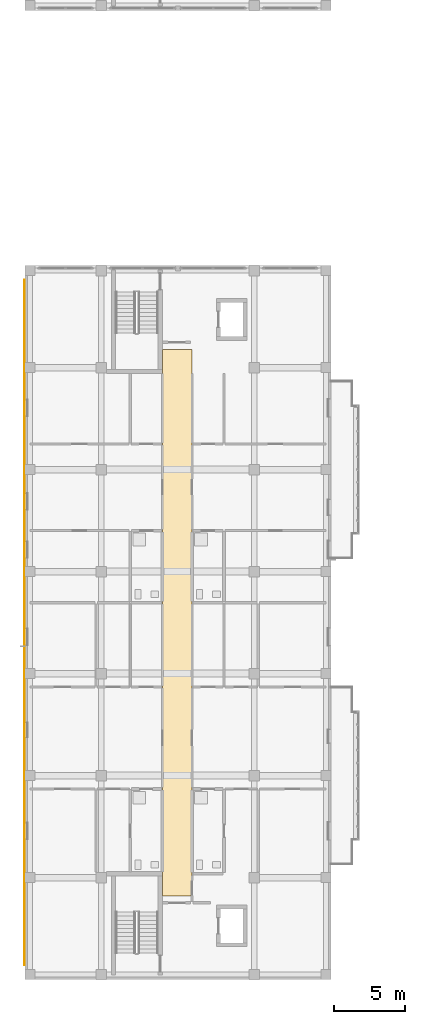
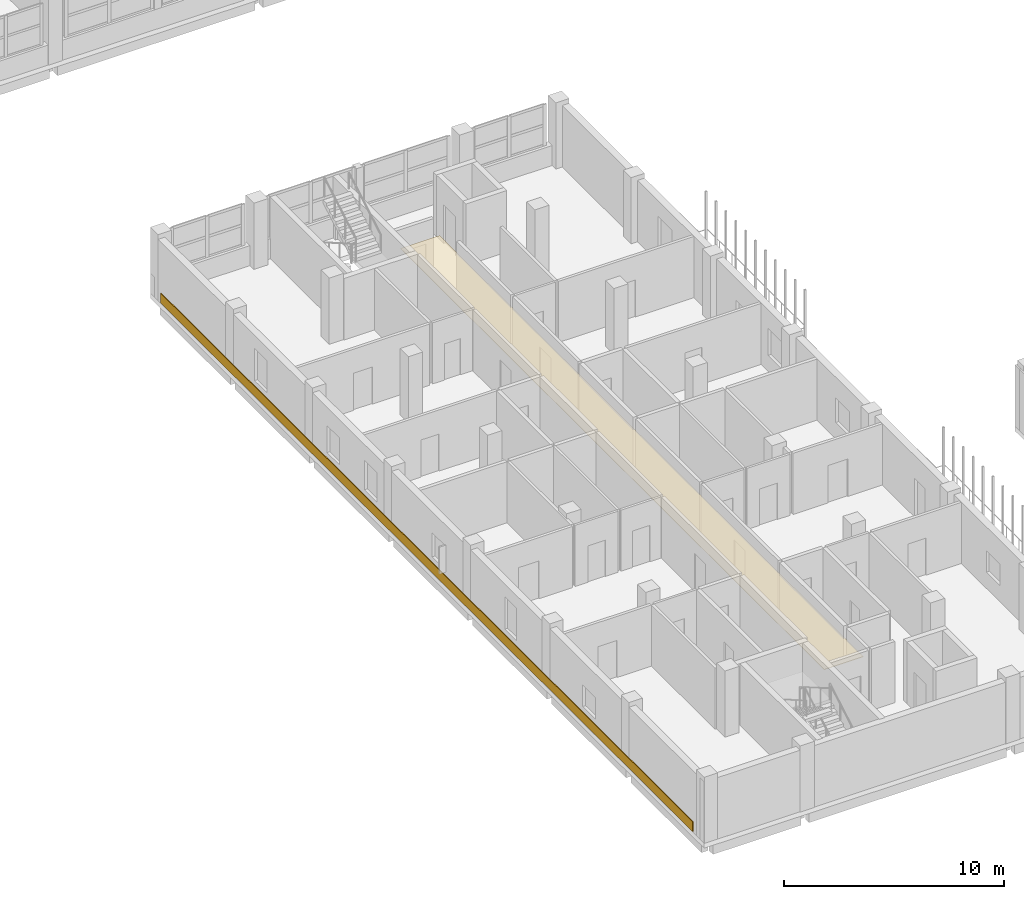
# One storey, part 57 of 73: 2 coverings.
"""IFC4 building model written with IfcOpenShell, lengths in metres."""

import ifcopenshell
import ifcopenshell.guid

model = None  # the IFC model being written
_history = None  # IfcOwnerHistory: only IFC2X3 demands one
_inside = {}  # id of a spatial element -> (the spatial element, [elements in it])
_under = {}  # id of a project, library or spatial element -> (it, [spatial elements below it])
_declared = {}  # id of a project -> (the project, [libraries it declares])
_typed = {}  # id of a type object -> (the type object, [elements of that type])
_made_of = {}  # id of a material, layer set ... -> (it, [elements and type objects made of it])


def new_model(schema):
    """Start an empty IFC model of exactly this schema.

    Asked for "IFC4X3", IfcOpenShell would pick the latest addendum, in which some entities
    have other attributes; the version numbers below select the first issue.
    IFC2X3 requires an IfcOwnerHistory on every rooted entity: one is made here for all.
    """
    global model, _history
    if schema == "IFC4X3":
        model = ifcopenshell.file(schema_version=(4, 3, 0, 0))
    else:
        model = ifcopenshell.file(schema=schema)
    _inside.clear()
    _under.clear()
    _declared.clear()
    _typed.clear()
    _made_of.clear()
    _history = None
    if model.schema == "IFC2X3":
        org = make("IfcOrganization", Name="unknown")
        user = make(
            "IfcPersonAndOrganization",
            ThePerson=make("IfcPerson", FamilyName="unknown"),
            TheOrganization=org,
        )
        app = make(
            "IfcApplication",
            ApplicationDeveloper=org,
            Version="unknown",
            ApplicationFullName="unknown",
            ApplicationIdentifier="unknown",
        )
        _history = make(
            "IfcOwnerHistory",
            OwningUser=user,
            OwningApplication=app,
            ChangeAction="ADDED",
            CreationDate=0,
        )
    return model


def make(cls, **values):
    """One entity of the class cls with the attributes given. An attribute that is None is left unset."""
    return model.create_entity(
        cls, **{name: value for name, value in values.items() if value is not None}
    )


def rooted(cls, **values):
    """An entity with a GlobalId (a new one), such as an element, a storey or a relation."""
    return make(cls, GlobalId=ifcopenshell.guid.new(), OwnerHistory=_history, **values)


def si_unit(unit_type, name, prefix=None):
    """IfcSIUnit, for example si_unit("LENGTHUNIT", "METRE", prefix="MILLI")."""
    return make("IfcSIUnit", UnitType=unit_type, Prefix=prefix, Name=name)


def derived_unit(unit_type, elements):
    """IfcDerivedUnit: a product of units, each with its exponent."""
    return make(
        "IfcDerivedUnit",
        Elements=[
            make("IfcDerivedUnitElement", Unit=unit, Exponent=power)
            for unit, power in elements
        ],
        UnitType=unit_type,
    )


def assignment(units):
    """IfcUnitAssignment: the units of a project."""
    return None if units is None else make("IfcUnitAssignment", Units=units)


def point(xyz):
    """IfcCartesianPoint."""
    return None if xyz is None else make("IfcCartesianPoint", Coordinates=xyz)


def direction(xyz):
    """IfcDirection."""
    return None if xyz is None else make("IfcDirection", DirectionRatios=xyz)


def frame(location, z_axis=None, x_axis=None):
    """IfcAxis2Placement3D, a coordinate frame: its origin and axes. An axis left out is left unset."""
    return make(
        "IfcAxis2Placement3D",
        Location=point(location),
        Axis=direction(z_axis),
        RefDirection=direction(x_axis),
    )


def frame_2d(location, x_axis=None):
    """IfcAxis2Placement2D, a coordinate frame in the plane: its origin and x axis."""
    return make(
        "IfcAxis2Placement2D", Location=point(location), RefDirection=direction(x_axis)
    )


def origin():
    """The frame at (0, 0, 0) with its axes left unset."""
    return frame((0.0, 0.0, 0.0))


def origin_2d():
    """The frame at (0, 0) in the plane with its x axis left unset."""
    return frame_2d((0.0, 0.0))


def place(relative_to, where):
    """IfcLocalPlacement: puts the frame where relative to a parent placement (None: the world)."""
    return make(
        "IfcLocalPlacement", PlacementRelTo=relative_to, RelativePlacement=where
    )


def context(
    kind, dimensions, precision=None, world=None, true_north=None, identifier=None
):
    """IfcGeometricRepresentationContext, for example the 3D "Model" context."""
    return make(
        "IfcGeometricRepresentationContext",
        ContextIdentifier=identifier,
        ContextType=kind,
        CoordinateSpaceDimension=dimensions,
        Precision=precision,
        WorldCoordinateSystem=world,
        TrueNorth=true_north,
    )


def subcontext(parent, identifier, kind, view, scale=None):
    """IfcGeometricRepresentationSubContext, for example "Body" below "Model"."""
    return make(
        "IfcGeometricRepresentationSubContext",
        ContextIdentifier=identifier,
        ContextType=kind,
        ParentContext=parent,
        TargetScale=scale,
        TargetView=view,
    )


def project(units=None, contexts=None):
    """IfcProject with its units and contexts."""
    return rooted(
        "IfcProject",
        Name="project",
        RepresentationContexts=contexts,
        UnitsInContext=assignment(units),
    )


def spatial(cls, under=None, at=None, **own):
    """A site, building, storey or space (cls), placed at a placement, below another one or the project."""
    s = rooted(cls, ObjectPlacement=at, **own)
    if under is not None:
        _under.setdefault(under.id(), (under, []))[1].append(s)
    return s


def polyline(points):
    """IfcPolyline through the points."""
    return make("IfcPolyline", Points=[point(p) for p in points])


def profile(cls, at=None, kind="AREA", **sizes):
    """A parametric profile (cls). Its sizes go by their IFC names, for example OverallWidth=200.0."""
    return make(cls, ProfileType=kind, Position=at, **sizes)


def rectangle(**sizes):
    """IfcRectangleProfileDef."""
    return profile("IfcRectangleProfileDef", **sizes)


def outline(outer, holes=None, kind="AREA"):
    """IfcArbitraryClosedProfileDef: a profile drawn as a closed curve; with holes, ...WithVoids."""
    if holes is None:
        return make("IfcArbitraryClosedProfileDef", ProfileType=kind, OuterCurve=outer)
    return make(
        "IfcArbitraryProfileDefWithVoids",
        ProfileType=kind,
        OuterCurve=outer,
        InnerCurves=holes,
    )


def extrude(swept, where, along, depth):
    """IfcExtrudedAreaSolid: the profile swept, set in the frame where, extruded along a direction by depth."""
    return make(
        "IfcExtrudedAreaSolid",
        SweptArea=swept,
        Position=where,
        ExtrudedDirection=direction(along),
        Depth=depth,
    )


def shape(context_of_items, identifier, shape_type, items):
    """IfcShapeRepresentation: the items that make up one representation, for example the "Body"."""
    return make(
        "IfcShapeRepresentation",
        ContextOfItems=context_of_items,
        RepresentationIdentifier=identifier,
        RepresentationType=shape_type,
        Items=items,
    )


def material(Name=None, Category=None):
    """IfcMaterial."""
    return make("IfcMaterial", Name=Name, Category=Category)


def layer(
    of_material, thickness, ventilated=None, Name=None, Category=None, Priority=None
):
    """IfcMaterialLayer: one layer of a wall or slab, of a material (None: an air gap)."""
    return make(
        "IfcMaterialLayer",
        Material=of_material,
        LayerThickness=thickness,
        IsVentilated=ventilated,
        Name=Name,
        Category=Category,
        Priority=Priority,
    )


def layer_set(layers, Name=None):
    """IfcMaterialLayerSet."""
    return make("IfcMaterialLayerSet", MaterialLayers=layers, LayerSetName=Name)


def made_of(thing, what):
    """Note that an element or type object is made of a material, layer set ...; save() writes the relation."""
    if what is not None:
        _made_of.setdefault(what.id(), (what, []))[1].append(thing)
    return thing


def type_object(cls, material=None, **own):
    """A type object (cls), such as IfcWallType, which elements share."""
    return made_of(rooted(cls, **own), material)


def element(
    cls,
    number,
    at=None,
    inside=None,
    cuts=None,
    type_object=None,
    material=None,
    context=None,
    identifier="Body",
    shape_type=None,
    held_by="IfcProductDefinitionShape",
    body=None,
    shapes=None,
    **own,
):
    """One element of the class cls, such as IfcWall. Its Tag is "e" and its number.

    at: its placement. inside: the storey or other place that contains it. cuts: it is an
    opening in that element (IfcRelVoidsElement). A single representation is given by context,
    identifier, shape_type and body (its items); several are given by shapes. held_by: the class
    of the entity that holds the representations. save() writes the other relations.
    """
    e = rooted(cls, Tag="e%d" % number, ObjectPlacement=at, **own)
    if body is not None:
        shapes = [shape(context, identifier, shape_type, body)]
    if shapes is not None:
        e.Representation = make(held_by, Representations=shapes)
    if inside is not None:
        _inside.setdefault(inside.id(), (inside, []))[1].append(e)
    if cuts is not None:
        rooted(
            "IfcRelVoidsElement", RelatingBuildingElement=cuts, RelatedOpeningElement=e
        )
    if type_object is not None:
        _typed.setdefault(type_object.id(), (type_object, []))[1].append(e)
    return made_of(e, material)


def aggregate(whole, parts):
    """IfcRelAggregates: a whole, such as a stair, and the parts it consists of."""
    return rooted("IfcRelAggregates", RelatingObject=whole, RelatedObjects=parts)


def save(model, path):
    """Write the relations noted so far, then the file.

    IfcRelAggregates (storeys below a building ...), IfcRelContainedInSpatialStructure (elements
    in a storey), IfcRelDefinesByType, IfcRelAssociatesMaterial and IfcRelDeclares: one each for
    every whole, place, type object, material and project.
    """
    for whole, parts in _under.values():
        aggregate(whole, parts)
    for where, things in _inside.values():
        rooted(
            "IfcRelContainedInSpatialStructure",
            RelatedElements=things,
            RelatingStructure=where,
        )
    for kind, things in _typed.values():
        rooted("IfcRelDefinesByType", RelatedObjects=things, RelatingType=kind)
    for what, things in _made_of.values():
        rooted("IfcRelAssociatesMaterial", RelatedObjects=things, RelatingMaterial=what)
    for by, libraries in _declared.values():
        rooted("IfcRelDeclares", RelatingContext=by, RelatedDefinitions=libraries)
    model.write(path)


model = new_model("IFC4")

# Units and contexts
model_context = context("Model", 3, precision=1e-05, world=origin(), true_north=direction((0.0, 1.0)))
body_context = subcontext(model_context, "Body", "Model", "MODEL_VIEW")
ifc_project = project(units=[si_unit("LENGTHUNIT", "METRE"), si_unit("AREAUNIT", "SQUARE_METRE"), si_unit("VOLUMEUNIT", "CUBIC_METRE"), si_unit("PLANEANGLEUNIT", "RADIAN"), si_unit("MASSUNIT", "GRAM", prefix="KILO"), derived_unit("THERMALTRANSMITTANCEUNIT", [(si_unit("MASSUNIT", "GRAM", prefix="KILO"), 1), (si_unit("TIMEUNIT", "SECOND"), -3), (si_unit("THERMODYNAMICTEMPERATUREUNIT", "KELVIN"), -1)])], contexts=[model_context])

# Site, building, storey
site_placement = place(None, origin())
site = spatial("IfcSite", under=ifc_project, at=site_placement, CompositionType="ELEMENT")
building_placement = place(site_placement, origin())
building = spatial("IfcBuilding", under=site, at=building_placement, Name="Ochrekiln Boulevard Commons", CompositionType="ELEMENT")
storey_placement = place(building_placement, frame((0.0, 0.0, 4.89990234375)))
storey = spatial("IfcBuildingStorey", under=building, at=storey_placement, Name="L01", CompositionType="ELEMENT", Elevation=4.89990234375)

# Coverings
ifc_material_1 = material(Name="Mineral-fibre acoustic ceiling tile")
ifc_layer_1 = layer(ifc_material_1, 0.02490234375)
ifc_layer_set_1 = layer_set([ifc_layer_1], Name="Mineral-fibre acoustic ceiling tile")
covering_type_1 = type_object("IfcCoveringType", Name="COV-CEIL-AC", PredefinedType="CEILING", material=ifc_layer_set_1)
covering_1_placement = place(storey_placement, frame((0.0, 0.0, 2.650146484375)))
element("IfcCovering", 1, at=covering_1_placement, inside=storey, type_object=covering_type_1, Name="L01 Acoustic Corridor Ceiling 20", PredefinedType="CEILING", context=body_context, shape_type="SweptSolid", body=[
    extrude(outline(polyline([(9.719970703125, 5.919921875), (11.780029296875, 5.919921875), (11.780029296875, 44.47998046875), (9.719970703125, 44.47998046875), (9.719970703125, 5.919921875)])), origin(), (0.0, 0.0, 1.0), 0.02490234375),
])
ifc_material_2 = material(Name="Glazed architectural terracotta ASTM C1405", Category="masonry")
ifc_layer_2 = layer(ifc_material_2, 0.0400390625)
ifc_layer_set_2 = layer_set([ifc_layer_2], Name="Glazed architectural terracotta ASTM C1405")
covering_type_2 = type_object("IfcCoveringType", Name="COV-CLAD-TERRA", PredefinedType="CLADDING", material=ifc_layer_set_2)
covering_2_placement = place(storey_placement, frame((-0.02001953125, 25.199951171875, 0.0751953125), z_axis=(0.0, 0.0, 1.0), x_axis=(1.0, 0.0, 0.0)))
element("IfcCovering", 2, at=covering_2_placement, inside=storey, type_object=covering_type_2, Name="Block D L01 Glazed Terracotta Spandrel Band", PredefinedType="CLADDING", context=body_context, shape_type="SweptSolid", body=[
    extrude(rectangle(XDim=0.0400390625, YDim=48.39990234375, at=origin_2d()), origin(), (0.0, 0.0, 1.0), 0.550048828125),
])

save(model, "model.ifc")
